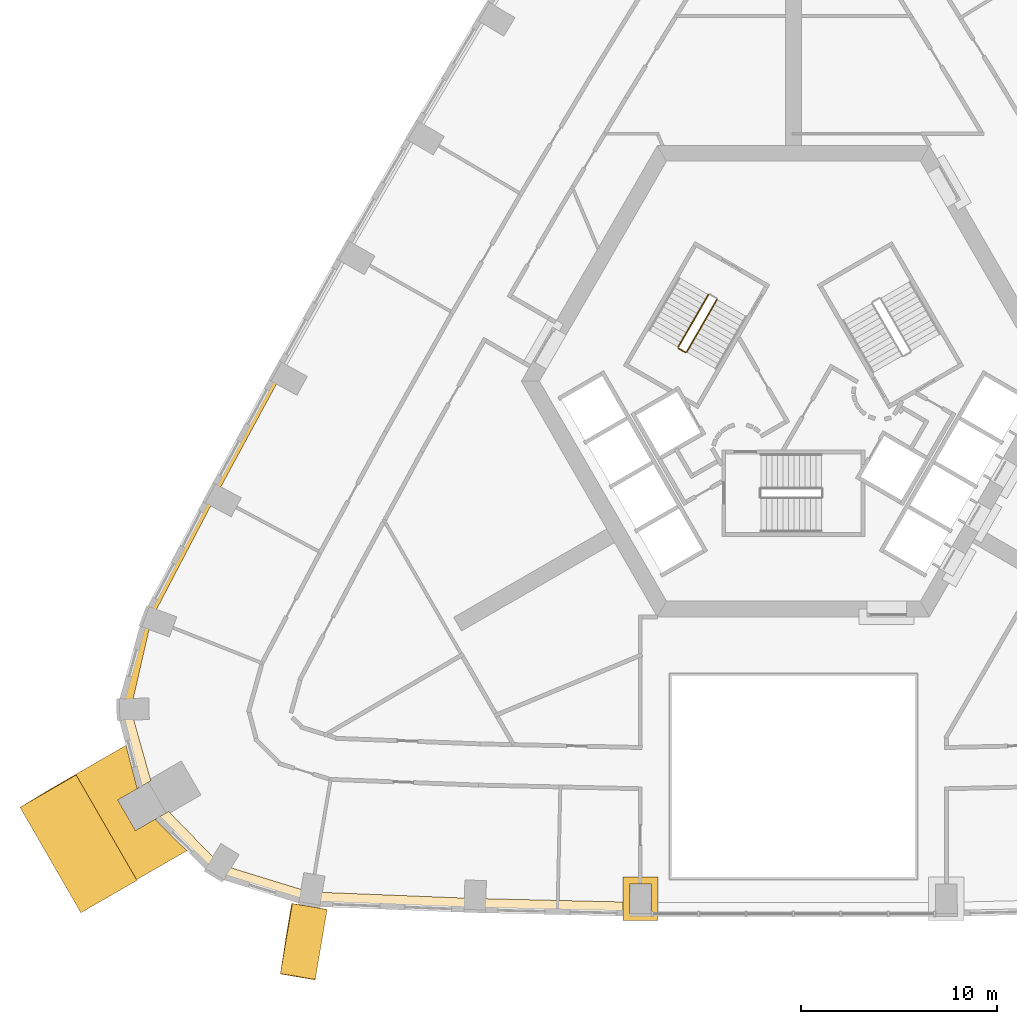
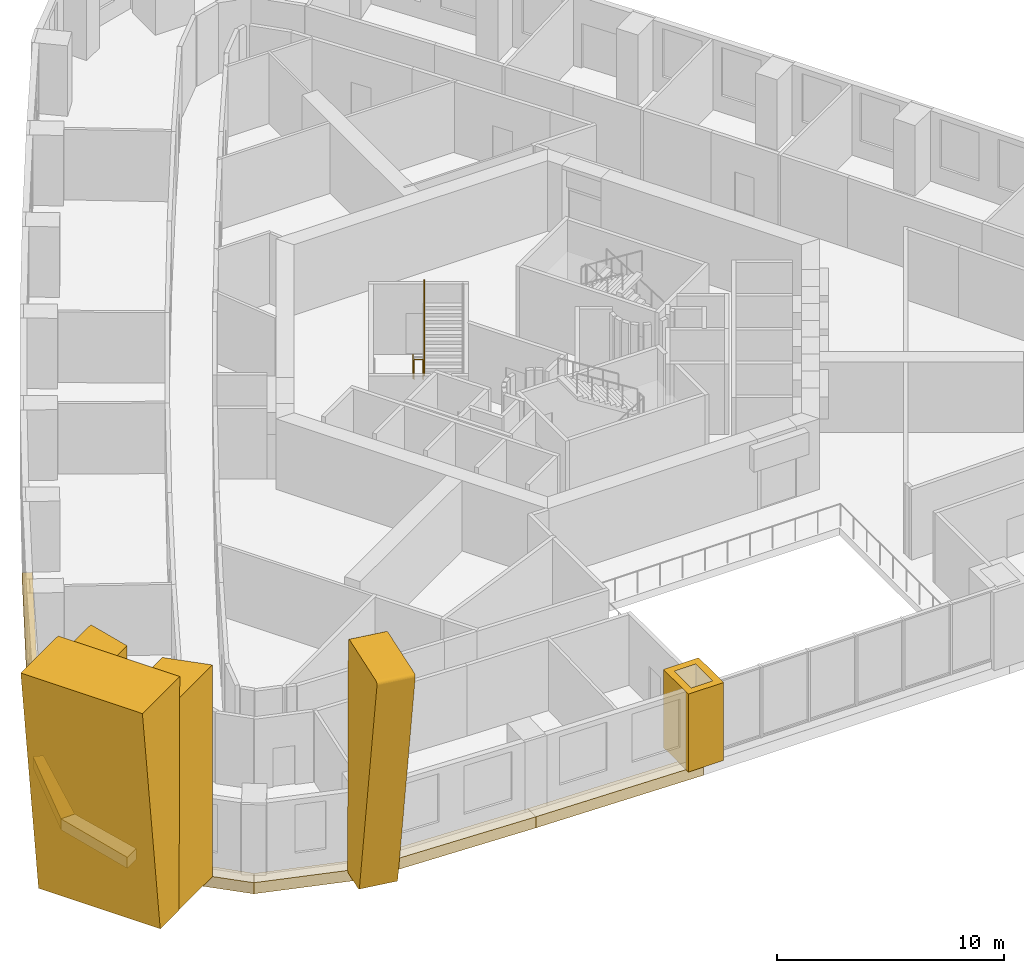
# One storey, part 12 of 15: 12 coverings, 3 railings.
"""IFC4 building model written with IfcOpenShell, lengths in metres."""

import ifcopenshell
import ifcopenshell.guid

model = None  # the IFC model being written
_history = None  # IfcOwnerHistory: only IFC2X3 demands one
_inside = {}  # id of a spatial element -> (the spatial element, [elements in it])
_under = {}  # id of a project, library or spatial element -> (it, [spatial elements below it])
_declared = {}  # id of a project -> (the project, [libraries it declares])
_typed = {}  # id of a type object -> (the type object, [elements of that type])
_made_of = {}  # id of a material, layer set ... -> (it, [elements and type objects made of it])


def new_model(schema):
    """Start an empty IFC model of exactly this schema.

    Asked for "IFC4X3", IfcOpenShell would pick the latest addendum, in which some entities
    have other attributes; the version numbers below select the first issue.
    IFC2X3 requires an IfcOwnerHistory on every rooted entity: one is made here for all.
    """
    global model, _history
    if schema == "IFC4X3":
        model = ifcopenshell.file(schema_version=(4, 3, 0, 0))
    else:
        model = ifcopenshell.file(schema=schema)
    _inside.clear()
    _under.clear()
    _declared.clear()
    _typed.clear()
    _made_of.clear()
    _history = None
    if model.schema == "IFC2X3":
        org = make("IfcOrganization", Name="unknown")
        user = make(
            "IfcPersonAndOrganization",
            ThePerson=make("IfcPerson", FamilyName="unknown"),
            TheOrganization=org,
        )
        app = make(
            "IfcApplication",
            ApplicationDeveloper=org,
            Version="unknown",
            ApplicationFullName="unknown",
            ApplicationIdentifier="unknown",
        )
        _history = make(
            "IfcOwnerHistory",
            OwningUser=user,
            OwningApplication=app,
            ChangeAction="ADDED",
            CreationDate=0,
        )
    return model


def make(cls, **values):
    """One entity of the class cls with the attributes given. An attribute that is None is left unset."""
    return model.create_entity(
        cls, **{name: value for name, value in values.items() if value is not None}
    )


def rooted(cls, **values):
    """An entity with a GlobalId (a new one), such as an element, a storey or a relation."""
    return make(cls, GlobalId=ifcopenshell.guid.new(), OwnerHistory=_history, **values)


def si_unit(unit_type, name, prefix=None):
    """IfcSIUnit, for example si_unit("LENGTHUNIT", "METRE", prefix="MILLI")."""
    return make("IfcSIUnit", UnitType=unit_type, Prefix=prefix, Name=name)


def assignment(units):
    """IfcUnitAssignment: the units of a project."""
    return None if units is None else make("IfcUnitAssignment", Units=units)


def point(xyz):
    """IfcCartesianPoint."""
    return None if xyz is None else make("IfcCartesianPoint", Coordinates=xyz)


def direction(xyz):
    """IfcDirection."""
    return None if xyz is None else make("IfcDirection", DirectionRatios=xyz)


def frame(location, z_axis=None, x_axis=None):
    """IfcAxis2Placement3D, a coordinate frame: its origin and axes. An axis left out is left unset."""
    return make(
        "IfcAxis2Placement3D",
        Location=point(location),
        Axis=direction(z_axis),
        RefDirection=direction(x_axis),
    )


def frame_2d(location, x_axis=None):
    """IfcAxis2Placement2D, a coordinate frame in the plane: its origin and x axis."""
    return make(
        "IfcAxis2Placement2D", Location=point(location), RefDirection=direction(x_axis)
    )


def origin():
    """The frame at (0, 0, 0) with its axes left unset."""
    return frame((0.0, 0.0, 0.0))


def origin_2d():
    """The frame at (0, 0) in the plane with its x axis left unset."""
    return frame_2d((0.0, 0.0))


def place(relative_to, where):
    """IfcLocalPlacement: puts the frame where relative to a parent placement (None: the world)."""
    return make(
        "IfcLocalPlacement", PlacementRelTo=relative_to, RelativePlacement=where
    )


def context(
    kind, dimensions, precision=None, world=None, true_north=None, identifier=None
):
    """IfcGeometricRepresentationContext, for example the 3D "Model" context."""
    return make(
        "IfcGeometricRepresentationContext",
        ContextIdentifier=identifier,
        ContextType=kind,
        CoordinateSpaceDimension=dimensions,
        Precision=precision,
        WorldCoordinateSystem=world,
        TrueNorth=true_north,
    )


def subcontext(parent, identifier, kind, view, scale=None):
    """IfcGeometricRepresentationSubContext, for example "Body" below "Model"."""
    return make(
        "IfcGeometricRepresentationSubContext",
        ContextIdentifier=identifier,
        ContextType=kind,
        ParentContext=parent,
        TargetScale=scale,
        TargetView=view,
    )


def project(units=None, contexts=None):
    """IfcProject with its units and contexts."""
    return rooted(
        "IfcProject",
        Name="project",
        RepresentationContexts=contexts,
        UnitsInContext=assignment(units),
    )


def spatial(cls, under=None, at=None, **own):
    """A site, building, storey or space (cls), placed at a placement, below another one or the project."""
    s = rooted(cls, ObjectPlacement=at, **own)
    if under is not None:
        _under.setdefault(under.id(), (under, []))[1].append(s)
    return s


def polyline(points):
    """IfcPolyline through the points."""
    return make("IfcPolyline", Points=[point(p) for p in points])


def profile(cls, at=None, kind="AREA", **sizes):
    """A parametric profile (cls). Its sizes go by their IFC names, for example OverallWidth=200.0."""
    return make(cls, ProfileType=kind, Position=at, **sizes)


def circle(**sizes):
    """IfcCircleProfileDef."""
    return profile("IfcCircleProfileDef", **sizes)


def outline(outer, holes=None, kind="AREA"):
    """IfcArbitraryClosedProfileDef: a profile drawn as a closed curve; with holes, ...WithVoids."""
    if holes is None:
        return make("IfcArbitraryClosedProfileDef", ProfileType=kind, OuterCurve=outer)
    return make(
        "IfcArbitraryProfileDefWithVoids",
        ProfileType=kind,
        OuterCurve=outer,
        InnerCurves=holes,
    )


def extrude(swept, where, along, depth):
    """IfcExtrudedAreaSolid: the profile swept, set in the frame where, extruded along a direction by depth."""
    return make(
        "IfcExtrudedAreaSolid",
        SweptArea=swept,
        Position=where,
        ExtrudedDirection=direction(along),
        Depth=depth,
    )


def shape(context_of_items, identifier, shape_type, items):
    """IfcShapeRepresentation: the items that make up one representation, for example the "Body"."""
    return make(
        "IfcShapeRepresentation",
        ContextOfItems=context_of_items,
        RepresentationIdentifier=identifier,
        RepresentationType=shape_type,
        Items=items,
    )


def material(Name=None, Category=None):
    """IfcMaterial."""
    return make("IfcMaterial", Name=Name, Category=Category)


def made_of(thing, what):
    """Note that an element or type object is made of a material, layer set ...; save() writes the relation."""
    if what is not None:
        _made_of.setdefault(what.id(), (what, []))[1].append(thing)
    return thing


def type_object(cls, material=None, **own):
    """A type object (cls), such as IfcWallType, which elements share."""
    return made_of(rooted(cls, **own), material)


def element(
    cls,
    number,
    at=None,
    inside=None,
    cuts=None,
    type_object=None,
    material=None,
    context=None,
    identifier="Body",
    shape_type=None,
    held_by="IfcProductDefinitionShape",
    body=None,
    shapes=None,
    **own,
):
    """One element of the class cls, such as IfcWall. Its Tag is "e" and its number.

    at: its placement. inside: the storey or other place that contains it. cuts: it is an
    opening in that element (IfcRelVoidsElement). A single representation is given by context,
    identifier, shape_type and body (its items); several are given by shapes. held_by: the class
    of the entity that holds the representations. save() writes the other relations.
    """
    e = rooted(cls, Tag="e%d" % number, ObjectPlacement=at, **own)
    if body is not None:
        shapes = [shape(context, identifier, shape_type, body)]
    if shapes is not None:
        e.Representation = make(held_by, Representations=shapes)
    if inside is not None:
        _inside.setdefault(inside.id(), (inside, []))[1].append(e)
    if cuts is not None:
        rooted(
            "IfcRelVoidsElement", RelatingBuildingElement=cuts, RelatedOpeningElement=e
        )
    if type_object is not None:
        _typed.setdefault(type_object.id(), (type_object, []))[1].append(e)
    return made_of(e, material)


def aggregate(whole, parts):
    """IfcRelAggregates: a whole, such as a stair, and the parts it consists of."""
    return rooted("IfcRelAggregates", RelatingObject=whole, RelatedObjects=parts)


def save(model, path):
    """Write the relations noted so far, then the file.

    IfcRelAggregates (storeys below a building ...), IfcRelContainedInSpatialStructure (elements
    in a storey), IfcRelDefinesByType, IfcRelAssociatesMaterial and IfcRelDeclares: one each for
    every whole, place, type object, material and project.
    """
    for whole, parts in _under.values():
        aggregate(whole, parts)
    for where, things in _inside.values():
        rooted(
            "IfcRelContainedInSpatialStructure",
            RelatedElements=things,
            RelatingStructure=where,
        )
    for kind, things in _typed.values():
        rooted("IfcRelDefinesByType", RelatedObjects=things, RelatingType=kind)
    for what, things in _made_of.values():
        rooted("IfcRelAssociatesMaterial", RelatedObjects=things, RelatingMaterial=what)
    for by, libraries in _declared.values():
        rooted("IfcRelDeclares", RelatingContext=by, RelatedDefinitions=libraries)
    model.write(path)


model = new_model("IFC4")

# Units and contexts
model_context = context("Model", 3, precision=1e-05, world=origin(), true_north=direction((0.0, 1.0)))
body_context = subcontext(model_context, "Body", "Model", "MODEL_VIEW")
ifc_project = project(units=[si_unit("LENGTHUNIT", "METRE"), si_unit("AREAUNIT", "SQUARE_METRE"), si_unit("VOLUMEUNIT", "CUBIC_METRE"), si_unit("PLANEANGLEUNIT", "RADIAN"), si_unit("MASSUNIT", "GRAM", prefix="KILO")], contexts=[model_context])

# Site, building, storey
site_placement = place(None, origin())
site = spatial("IfcSite", under=ifc_project, at=site_placement, CompositionType="ELEMENT")
building_placement = place(site_placement, origin())
building = spatial("IfcBuilding", under=site, at=building_placement, Name="Entoto Arch Interchange Tower", CompositionType="ELEMENT")
storey_placement = place(building_placement, frame((0.0, 0.0, 150.800048828125)))
storey = spatial("IfcBuildingStorey", under=building, at=storey_placement, Name="L33", CompositionType="ELEMENT", Elevation=150.800048828125)

# Coverings
ifc_material_1 = material(Name="Board-marked precast concrete C50/60", Category="concrete")
covering_type_1 = type_object("IfcCoveringType", Name="PRECAST FRAME COURSE", PredefinedType="CLADDING", material=ifc_material_1)
covering_1_placement = place(storey_placement, frame((0.0, 0.0, -0.400146484375)))
element("IfcCovering", 1, at=covering_1_placement, inside=storey, type_object=covering_type_1, Name="Corner pilaster SW L33-L35", PredefinedType="CLADDING", context=body_context, shape_type="SweptSolid", body=[
    extrude(outline(polyline([(-33.448974609375, -22.89111328125), (-36.549072265625, -17.52099609375), (-33.990966796875, -16.0439453125), (-33.4150390625, -18.2529296875), (-34.408935546875, -18.826904296875), (-33.509033203125, -20.385009765625), (-32.514892578125, -19.81103515625), (-30.89111328125, -21.4140625), (-33.448974609375, -22.89111328125)])), origin(), (0.0, 0.0, 1.0), 11.400146484375),
])
covering_2_placement = place(storey_placement, frame((-36.549072265625, -17.52099609375, -0.400146484375), z_axis=(-0.499958798188, 0.866044005996, 0.002996630249), x_axis=(-0.866047893641, -0.499961044402, 5.5326e-07)))
element("IfcCovering", 2, at=covering_2_placement, inside=storey, type_object=covering_type_1, Name="Corner rib SW L33-L35", PredefinedType="CLADDING", context=body_context, shape_type="SweptSolid", body=[
    extrude(outline(polyline([(0.0, 0.0), (1.6617074414709343, -4.336808689942018e-19), (3.298633033284209, 12.60015240475556), (-6.943590559583582e-06, 12.600155149131064), (0.0, 0.0)])), origin(), (0.0, 0.0, -1.0), 6.199951171875),
])
covering_3_placement = place(storey_placement, frame((-25.5810546875, -24.238037109375, -0.400146484375), z_axis=(-0.98574294228, 0.168231361563, 0.003010104867), x_axis=(0.167528754135, 0.979647770409, 0.110563838895)))
element("IfcCovering", 3, at=covering_3_placement, inside=storey, type_object=covering_type_1, Name="Fold rib S01 L33-L35", PredefinedType="CLADDING", context=body_context, shape_type="SweptSolid", body=[
    extrude(outline(polyline([(0.0, 0.0), (0.028714581869988397, 4.336808689942018e-19), (0.057737530236153335, -0.004629316935392525), (0.0855142563484796, -0.01578882064566546), (0.10979959297855373, -0.032247986338621436), (0.13052646820219432, -0.053032422088802565), (0.1473477377015327, -0.077198288525833), (0.15871272224344543, -0.1041856715651566), (0.1647949659137238, -0.13273937513435197), (1.5251714460834156, -12.357385394290786), (1.523887310762229, -12.401744648394025), (1.5090600019443021, -12.442698381974525), (1.48362288707756, -12.478689694566915), (1.4486609082294821, -12.505668272401829), (1.4213516123960488, -12.51681455159761), (1.3923960719432684, -12.522983723326012), (-1.9336102710248164, -12.89298995250404), (-1.9766087686694924, -12.891632499105327), (-2.0051895426803212, -12.883757186217904), (-2.031078243815221, -12.870670047855176), (-2.053394576093677, -12.853011175585456), (-2.0723160492646597, -12.83104231788999), (-2.091972082646767, -12.791958635933545), (-2.099174615891796, -12.763527142584678), (-2.0993531336083757, -12.734316600850912), (-1.3399616413309625, -0.2598516650136272), (-1.3262660642119284, -0.21705989432892983), (-1.3007386505999001, -0.18007510072961058), (-1.2649426862002522, -0.1530010607794579), (-1.2227813114114203, -0.13701249399102844), (0.0, 0.0)])), origin(), (0.0, 0.0, -1.0), 1.800048828125),
])
covering_4_placement = place(storey_placement, frame((0.0, 0.0, -0.400146484375)))
element("IfcCovering", 4, at=covering_4_placement, inside=storey, type_object=covering_type_1, Name="Gate pier L33", PredefinedType="CLADDING", context=body_context, shape_type="SweptSolid", body=[
    extrude(outline(polyline([(-8.68896484375, -22.757080078125), (-6.888916015625, -22.757080078125), (-6.888916015625, -24.95703125), (-8.68896484375, -24.95703125), (-8.68896484375, -22.757080078125)]), holes=[polyline([(-8.339111328125, -23.10693359375), (-8.339111328125, -24.60693359375), (-7.239013671875, -24.60693359375), (-7.239013671875, -23.10693359375), (-8.339111328125, -23.10693359375)])]), origin(), (0.0, 0.0, 1.0), 4.2001953125),
])
covering_type_2 = type_object("IfcCoveringType", Name="PRECAST LEDGE COURSE", PredefinedType="CLADDING", material=ifc_material_1)
covering_5_placement = place(storey_placement, frame((0.0, 0.0, -1.0)))
element("IfcCovering", 5, at=covering_5_placement, inside=storey, type_object=covering_type_2, Name="Precast course S-01 L33", PredefinedType="CLADDING", context=body_context, shape_type="SweptSolid", body=[
    extrude(outline(polyline([(-16.23388671875, -23.842041015625), (-16.23388671875, -24.56591796875), (-24.6689453125, -24.241943359375), (-24.6689453125, -23.5048828125), (-16.23388671875, -23.842041015625)])), origin(), (0.0, 0.0, 1.0), 0.599853515625),
])
covering_6_placement = place(storey_placement, frame((0.0, 0.0, -1.0)))
element("IfcCovering", 6, at=covering_6_placement, inside=storey, type_object=covering_type_2, Name="Precast course S-02 L33", PredefinedType="CLADDING", context=body_context, shape_type="SweptSolid", body=[
    extrude(outline(polyline([(-7.800048828125, -24.041015625), (-7.800048828125, -24.757080078125), (-16.23388671875, -24.56591796875), (-16.23388671875, -23.842041015625), (-7.800048828125, -24.041015625)])), origin(), (0.0, 0.0, 1.0), 0.599853515625),
])
covering_7_placement = place(storey_placement, frame((0.0, 0.0, -1.0)))
element("IfcCovering", 7, at=covering_7_placement, inside=storey, type_object=covering_type_2, Name="Precast course NW-06 L33", PredefinedType="CLADDING", context=body_context, shape_type="SweptSolid", body=[
    extrude(outline(polyline([(-29.419921875, -3.364990234375), (-29.827880859375, -3.14794921875), (-26.4619140625, 3.055908203125), (-26.06396484375, 2.8369140625), (-29.419921875, -3.364990234375)])), origin(), (0.0, 0.0, 1.0), 0.599853515625),
])
covering_8_placement = place(storey_placement, frame((0.0, 0.0, -1.0)))
element("IfcCovering", 8, at=covering_8_placement, inside=storey, type_object=covering_type_2, Name="Precast course NW-07 L33", PredefinedType="CLADDING", context=body_context, shape_type="SweptSolid", body=[
    extrude(outline(polyline([(-32.68994140625, -9.611083984375), (-33.135986328125, -9.446044921875), (-29.827880859375, -3.14794921875), (-29.419921875, -3.364990234375), (-32.68994140625, -9.611083984375)])), origin(), (0.0, 0.0, 1.0), 0.599853515625),
])
covering_9_placement = place(storey_placement, frame((0.0, 0.0, -1.0)))
element("IfcCovering", 9, at=covering_9_placement, inside=storey, type_object=covering_type_2, Name="Precast course SW-01 L33", PredefinedType="CLADDING", context=body_context, shape_type="SweptSolid", body=[
    extrude(outline(polyline([(-33.7451171875, -14.20703125), (-34.465087890625, -14.22412109375), (-33.135986328125, -9.446044921875), (-32.68994140625, -9.611083984375), (-33.7451171875, -14.20703125)])), origin(), (0.0, 0.0, 1.0), 0.599853515625),
])
covering_10_placement = place(storey_placement, frame((0.0, 0.0, -1.0)))
element("IfcCovering", 10, at=covering_10_placement, inside=storey, type_object=covering_type_2, Name="Precast course SW-02 L33", PredefinedType="CLADDING", context=body_context, shape_type="SweptSolid", body=[
    extrude(outline(polyline([(-32.720947265625, -17.85205078125), (-33.4150390625, -18.2529296875), (-34.465087890625, -14.22412109375), (-33.7451171875, -14.20703125), (-32.720947265625, -17.85205078125)])), origin(), (0.0, 0.0, 1.0), 0.599853515625),
])
covering_11_placement = place(storey_placement, frame((0.0, 0.0, -1.0)))
element("IfcCovering", 11, at=covering_11_placement, inside=storey, type_object=covering_type_2, Name="Precast course SW-03 L33", PredefinedType="CLADDING", context=body_context, shape_type="SweptSolid", body=[
    extrude(outline(polyline([(-29.176025390625, -22.1201171875), (-29.551025390625, -22.735107421875), (-32.514892578125, -19.81103515625), (-31.821044921875, -19.410888671875), (-29.176025390625, -22.1201171875)])), origin(), (0.0, 0.0, 1.0), 0.599853515625),
])
covering_12_placement = place(storey_placement, frame((0.0, 0.0, -1.0)))
element("IfcCovering", 12, at=covering_12_placement, inside=storey, type_object=covering_type_2, Name="Precast course SW-04 L33", PredefinedType="CLADDING", context=body_context, shape_type="SweptSolid", body=[
    extrude(outline(polyline([(-24.6689453125, -23.5048828125), (-24.6689453125, -24.241943359375), (-29.551025390625, -22.735107421875), (-29.176025390625, -22.1201171875), (-24.6689453125, -23.5048828125)])), origin(), (0.0, 0.0, 1.0), 0.599853515625),
])

# Railings
ifc_material_2 = material(Name="Stainless steel 1.4301", Category="steel")
railing_type = type_object("IfcRailingType", Name="STAIR GUARD 1100 STEEL", PredefinedType="GUARDRAIL", material=ifc_material_2)
railing_1_placement = place(storey_placement, frame((-4.327880859375, 6.904052734375, 0.175048828125)))
element("IfcRailing", 13, at=railing_1_placement, inside=storey, type_object=railing_type, Name="L33 ST-NW stair guard 1", PredefinedType="GUARDRAIL", context=body_context, shape_type="SweptSolid", body=[
    extrude(circle(Radius=0.02392578125, at=origin_2d()), frame((0.0, 0.0, 1.076171875), z_axis=(-0.424009578203, -0.734421155904, 0.529944755001), x_axis=(0.866029832698, -0.499992328818, 0.0)), (0.0, 0.0, 1.0), 3.632080078125),
    extrude(circle(Radius=0.02099609375, at=origin_2d()), origin(), (0.0, 0.0, 1.0), 1.052001953125),
    extrude(circle(Radius=0.02099609375, at=origin_2d()), frame((-0.385009765625, -0.6669921875, 0.481201171875)), (0.0, 0.0, 1.0), 1.052001953125),
    extrude(circle(Radius=0.02099609375, at=origin_2d()), frame((-0.77001953125, -1.333740234375, 0.96240234375)), (0.0, 0.0, 1.0), 1.052001953125),
    extrude(circle(Radius=0.02099609375, at=origin_2d()), frame((-1.155029296875, -2.00048828125, 1.443603515625)), (0.0, 0.0, 1.0), 1.052001953125),
    extrude(circle(Radius=0.02099609375, at=origin_2d()), frame((-1.5400390625, -2.66748046875, 1.9248046875)), (0.0, 0.0, 1.0), 1.052001953125),
])
railing_2_placement = place(storey_placement, frame((-5.849609375, 4.168212890625, 2.099853515625)))
element("IfcRailing", 14, at=railing_2_placement, inside=storey, type_object=railing_type, Name="L33 ST-NW stair guard 2", PredefinedType="GUARDRAIL", context=body_context, shape_type="SweptSolid", body=[
    extrude(circle(Radius=0.02392578125, at=origin_2d()), frame((0.0, 0.0, 1.076171875), z_axis=(0.866094119867, -0.499880961361, 0.0), x_axis=(0.499880961361, 0.866094119867, 0.0)), (0.0, 0.0, 1.0), 0.39990234375),
    extrude(circle(Radius=0.02099609375, at=origin_2d()), origin(), (0.0, 0.0, 1.0), 1.052001953125),
    extrude(circle(Radius=0.02099609375, at=origin_2d()), frame((0.346435546875, -0.199951171875, 0.0)), (0.0, 0.0, 1.0), 1.052001953125),
])
railing_3_placement = place(storey_placement, frame((-5.434814453125, 3.986572265625, 2.27490234375)))
element("IfcRailing", 15, at=railing_3_placement, inside=storey, type_object=railing_type, Name="L33 ST-NW stair guard 3", PredefinedType="GUARDRAIL", context=body_context, shape_type="SweptSolid", body=[
    extrude(circle(Radius=0.02392578125, at=origin_2d()), frame((0.0, 0.0, 1.076171875), z_axis=(0.423994474112, 0.734394994316, 0.52999309264), x_axis=(-0.866029832698, 0.499992328818, 0.0)), (0.0, 0.0, 1.0), 3.63232421875),
    extrude(circle(Radius=0.02099609375, at=origin_2d()), origin(), (0.0, 0.0, 1.0), 1.052001953125),
    extrude(circle(Radius=0.02099609375, at=origin_2d()), frame((0.385009765625, 0.6669921875, 0.481201171875)), (0.0, 0.0, 1.0), 1.052001953125),
    extrude(circle(Radius=0.02099609375, at=origin_2d()), frame((0.77001953125, 1.333740234375, 0.96240234375)), (0.0, 0.0, 1.0), 1.052001953125),
    extrude(circle(Radius=0.02099609375, at=origin_2d()), frame((1.155029296875, 2.00048828125, 1.44384765625)), (0.0, 0.0, 1.0), 1.052001953125),
    extrude(circle(Radius=0.02099609375, at=origin_2d()), frame((1.5400390625, 2.66748046875, 1.925048828125)), (0.0, 0.0, 1.0), 1.052001953125),
])

save(model, "model.ifc")
